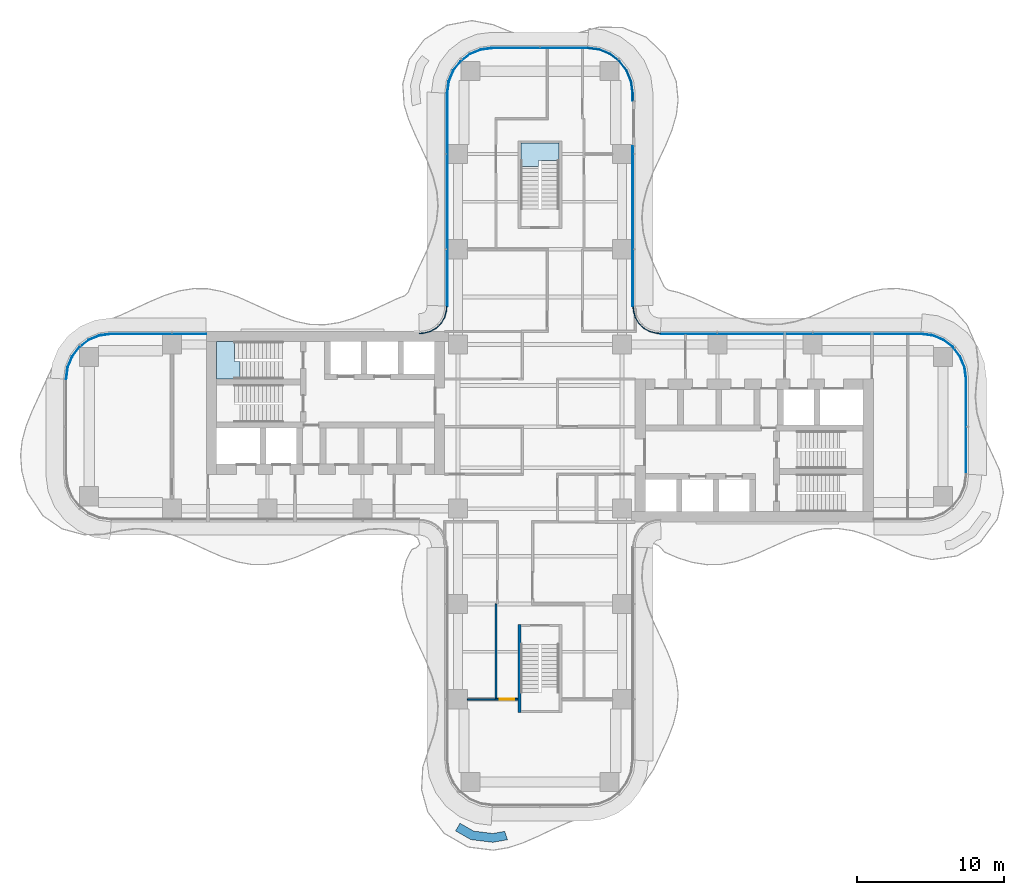
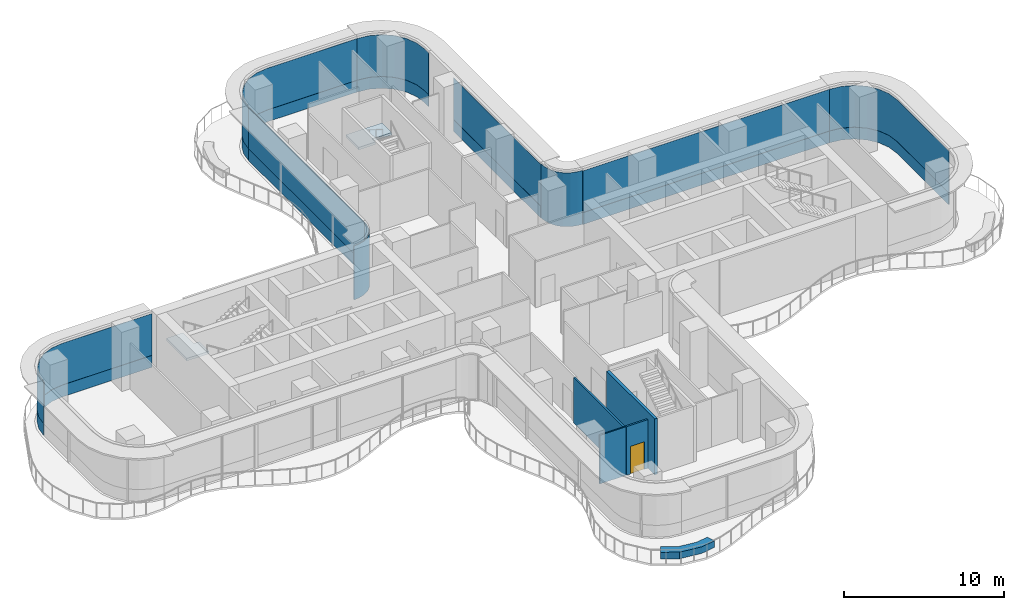
# One storey, part 14 of 20: 16 plates, 5 walls, 2 slabs, 1 door, 1 opening, 11 elements without a shape of their own.
"""IFC4 building model written with IfcOpenShell, lengths in metres."""

from ifc_helpers import new_model, si_unit, direction, frame, frame_2d, origin, place, context, subcontext, project, spatial, polyline, rectangle, outline, extrude, source, transform, mapped, material, layer, layer_set, type_object, element, fill, aggregate, save


model = new_model("IFC4")

# Units and contexts
model_context = context("Model", 3, precision=1e-05, world=origin(), true_north=direction((0.0, 1.0)))
body_context = subcontext(model_context, "Body", "Model", "MODEL_VIEW")
ifc_project = project(units=[si_unit("LENGTHUNIT", "METRE"), si_unit("AREAUNIT", "SQUARE_METRE"), si_unit("VOLUMEUNIT", "CUBIC_METRE"), si_unit("PLANEANGLEUNIT", "RADIAN"), si_unit("MASSUNIT", "GRAM", prefix="KILO")], contexts=[model_context])

# Site, building, storey
site_placement = place(None, origin())
site = spatial("IfcSite", under=ifc_project, at=site_placement, CompositionType="ELEMENT")
building_placement = place(site_placement, origin())
building = spatial("IfcBuilding", under=site, at=building_placement, Name="Trellis Farm Tower", CompositionType="ELEMENT")
storey_placement = place(building_placement, frame((0.0, 0.0, 129.0)))
storey = spatial("IfcBuildingStorey", under=building, at=storey_placement, Name="L27", CompositionType="ELEMENT", Elevation=129.0)

# Stair, slab
ifc_material_1 = material(Name="Concrete C50/60", Category="concrete")
stair_type = type_object("IfcStairType", Name="CORE EXIT STAIR 26 RISERS 173 MM", PredefinedType="HALF_TURN_STAIR", material=ifc_material_1)
placement_1 = place(storey_placement, origin())
stair_1 = element("IfcStair", 1, at=placement_1, inside=storey, type_object=stair_type, Name="Exit stair N", PredefinedType="HALF_TURN_STAIR")
ifc_layer_1 = layer(ifc_material_1, 0.18994140625)
ifc_layer_set_1 = layer_set([ifc_layer_1], Name="CORE STAIR LANDING 190 CONCRETE C50/60")
slab_type = type_object("IfcSlabType", Name="CORE STAIR LANDING 190 CONCRETE C50/60", PredefinedType="LANDING", material=ifc_layer_set_1)
shared_shape_1 = source(origin(), body_context, "Body", "SweptSolid", [
    extrude(outline(polyline([(-0.10009765625, 17.753173828125), (-1.300048828125, 17.753173828125), (-1.300048828125, 18.14990234375), (-1.300048828125, 19.35009765625), (1.300048828125, 19.35009765625), (1.300048828125, 18.14990234375), (1.300048828125, 18.139892578125), (0.10009765625, 18.139892578125), (0.10009765625, 18.14990234375), (-0.10009765625, 18.14990234375), (-0.10009765625, 17.753173828125)])), origin(), (0.0, 0.0, 1.0), 0.18994140625),
])
placement_2 = place(storey_placement, frame((0.0, 0.0, 2.06005859375)))
slab_1 = element("IfcSlab", 2, at=placement_2, type_object=slab_type, Name="STN landing 1", PredefinedType="LANDING", context=body_context, shape_type="MappedRepresentation", body=[
    mapped(shared_shape_1, transform((0.0, 0.0, 0.0))),
])
aggregate(stair_1, [slab_1])

stair_2 = element("IfcStair", 3, at=placement_1, inside=storey, type_object=stair_type, Name="Exit stair W1", PredefinedType="HALF_TURN_STAIR")
shared_shape_2 = source(origin(), body_context, "Body", "SweptSolid", [
    extrude(outline(polyline([(-20.453125, 4.449951171875), (-20.453125, 3.25), (-20.85009765625, 3.25), (-22.050048828125, 3.25), (-22.050048828125, 5.800048828125), (-20.85009765625, 5.800048828125), (-20.840087890625, 5.800048828125), (-20.840087890625, 4.60009765625), (-20.85009765625, 4.60009765625), (-20.85009765625, 4.449951171875), (-20.453125, 4.449951171875)])), origin(), (0.0, 0.0, 1.0), 0.18994140625),
])
slab_2 = element("IfcSlab", 4, at=placement_2, type_object=slab_type, Name="STW1 landing 1", PredefinedType="LANDING", context=body_context, shape_type="MappedRepresentation", body=[
    mapped(shared_shape_2, transform((0.0, 0.0, 0.0))),
])
aggregate(stair_2, [slab_2])

# Curtain wall, plate
ifc_material_2 = material(Name="Aluminium and glass curtain wall", Category="aluminium")
ifc_layer_2 = layer(ifc_material_2, 0.166015625)
ifc_layer_set_2 = layer_set([ifc_layer_2], Name="WINTER GARDEN CURTAIN WALL CW3")
curtain_wall_type_1 = type_object("IfcCurtainWallType", Name="WINTER GARDEN CURTAIN WALL CW3", PredefinedType="NOTDEFINED", material=ifc_layer_set_2)
curtain_wall_1 = element("IfcCurtainWall", 5, at=placement_1, inside=storey, type_object=curtain_wall_type_1, Name="CW3 003", PredefinedType="NOTDEFINED")
ifc_material_3 = material(Name="Clear insulated glass", Category="glass")
ifc_layer_3 = layer(ifc_material_3, 0.0458984375)
ifc_layer_set_3 = layer_set([ifc_layer_3], Name="CW3 GLASS PANEL 46")
plate_type_1 = type_object("IfcPlateType", Name="CW3 GLASS PANEL 46", PredefinedType="CURTAIN_PANEL", material=ifc_layer_set_3)
shared_shape_3 = source(origin(), body_context, "Body", "SweptSolid", [
    extrude(outline(polyline([(8.2275390625, 6.3798828125), (8.0078125, 6.394287109375), (7.89208984375, 6.40966796875), (7.462158203125, 6.52490234375), (7.070556640625, 6.7509765625), (6.7509765625, 7.070556640625), (6.52490234375, 7.462158203125), (6.40966796875, 7.89208984375), (6.394287109375, 8.0078125), (6.3798828125, 8.2275390625), (6.333984375, 8.22607421875), (6.3486328125, 8.003173828125), (6.364501953125, 7.883056640625), (6.48193359375, 7.4443359375), (6.714111328125, 7.04248046875), (7.04248046875, 6.714111328125), (7.4443359375, 6.48193359375), (7.883056640625, 6.364501953125), (8.003173828125, 6.3486328125), (8.22607421875, 6.333984375), (8.2275390625, 6.3798828125)])), origin(), (0.0, 0.0, 1.0), 4.10009765625),
])
plate_1 = element("IfcPlate", 6, at=placement_1, type_object=plate_type_1, Name="PL3 003", PredefinedType="CURTAIN_PANEL", context=body_context, shape_type="MappedRepresentation", body=[
    mapped(shared_shape_3, transform((0.0, 0.0, 0.0))),
])
aggregate(curtain_wall_1, [plate_1])

curtain_wall_2 = element("IfcCurtainWall", 7, at=placement_1, inside=storey, type_object=curtain_wall_type_1, Name="CW3 004", PredefinedType="NOTDEFINED")
shared_shape_4 = source(origin(), body_context, "Body", "SweptSolid", [
    extrude(outline(polyline([(-6.3798828125, 8.2275390625), (-6.394287109375, 8.0078125), (-6.40966796875, 7.89208984375), (-6.52490234375, 7.462158203125), (-6.7509765625, 7.070556640625), (-7.070556640625, 6.7509765625), (-7.462158203125, 6.52490234375), (-7.89208984375, 6.40966796875), (-8.0078125, 6.394287109375), (-8.2275390625, 6.3798828125), (-8.22607421875, 6.333984375), (-8.003173828125, 6.3486328125), (-7.883056640625, 6.364501953125), (-7.4443359375, 6.48193359375), (-7.04248046875, 6.714111328125), (-6.714111328125, 7.04248046875), (-6.48193359375, 7.4443359375), (-6.364501953125, 7.883056640625), (-6.3486328125, 8.003173828125), (-6.333984375, 8.22607421875), (-6.3798828125, 8.2275390625)])), origin(), (0.0, 0.0, 1.0), 4.10009765625),
])
plate_2 = element("IfcPlate", 8, at=placement_1, type_object=plate_type_1, Name="PL3 004", PredefinedType="CURTAIN_PANEL", context=body_context, shape_type="MappedRepresentation", body=[
    mapped(shared_shape_4, transform((0.0, 0.0, 0.0))),
])
aggregate(curtain_wall_2, [plate_2])

# Curtain wall, plates
ifc_layer_4 = layer(ifc_material_2, 0.18994140625)
ifc_layer_set_4 = layer_set([ifc_layer_4], Name="RIBBON CURTAIN WALL CW1")
curtain_wall_type_2 = type_object("IfcCurtainWallType", Name="RIBBON CURTAIN WALL CW1", PredefinedType="NOTDEFINED", material=ifc_layer_set_4)
curtain_wall_3 = element("IfcCurtainWall", 9, at=placement_1, inside=storey, type_object=curtain_wall_type_2, Name="CW1 012", PredefinedType="NOTDEFINED")
ifc_layer_5 = layer(ifc_material_3, 0.0400390625)
ifc_layer_set_5 = layer_set([ifc_layer_5], Name="CW1 GLASS PANEL 40")
plate_type_2 = type_object("IfcPlateType", Name="CW1 GLASS PANEL 40", PredefinedType="CURTAIN_PANEL", material=ifc_layer_set_5)
shared_shape_5 = source(origin(), body_context, "Body", "SweptSolid", [
    extrude(outline(polyline([(-22.780029296875, 6.35009765625), (-29.240234375, 6.35009765625), (-30.052001953125, 6.2431640625), (-30.79931640625, 5.93359375), (-31.441162109375, 5.441162109375), (-31.93359375, 4.79931640625), (-32.2431640625, 4.052001953125), (-32.35009765625, 3.240234375), (-32.31005859375, 3.237548828125), (-32.2041015625, 4.04150390625), (-31.898681640625, 4.779296875), (-31.41259765625, 5.41259765625), (-30.779296875, 5.898681640625), (-30.04150390625, 6.2041015625), (-29.237548828125, 6.31005859375), (-22.780029296875, 6.31005859375), (-22.780029296875, 6.35009765625)])), origin(), (0.0, 0.0, 1.0), 3.170166015625),
])
placement_3 = place(storey_placement, frame((0.0, 0.0, 0.89990234375)))
plate_3 = element("IfcPlate", 10, at=placement_3, type_object=plate_type_2, Name="PL1 012", PredefinedType="CURTAIN_PANEL", context=body_context, shape_type="MappedRepresentation", body=[
    mapped(shared_shape_5, transform((0.0, 0.0, 0.0))),
])
ifc_material_4 = material(Name="Sandstone faced insulated panel", Category="masonry")
ifc_layer_6 = layer(ifc_material_4, 0.050048828125)
ifc_layer_set_6 = layer_set([ifc_layer_6], Name="CW1 STONE SPANDREL PANEL 50")
plate_type_3 = type_object("IfcPlateType", Name="CW1 STONE SPANDREL PANEL 50", PredefinedType="CURTAIN_PANEL", material=ifc_layer_set_6)
shared_shape_6 = source(origin(), body_context, "Body", "SweptSolid", [
    extrude(outline(polyline([(-22.780029296875, 6.35009765625), (-29.240234375, 6.35009765625), (-30.052001953125, 6.2431640625), (-30.79931640625, 5.93359375), (-31.441162109375, 5.441162109375), (-31.93359375, 4.79931640625), (-32.2431640625, 4.052001953125), (-32.35009765625, 3.240234375), (-32.300048828125, 3.23681640625), (-32.1943359375, 4.0390625), (-31.889892578125, 4.774169921875), (-31.405517578125, 5.405517578125), (-30.774169921875, 5.889892578125), (-30.0390625, 6.1943359375), (-29.23681640625, 6.300048828125), (-22.780029296875, 6.300048828125), (-22.780029296875, 6.35009765625)])), origin(), (0.0, 0.0, 1.0), 0.89990234375),
])
plate_4 = element("IfcPlate", 11, at=placement_1, type_object=plate_type_3, Name="PS1 012", PredefinedType="CURTAIN_PANEL", context=body_context, shape_type="MappedRepresentation", body=[
    mapped(shared_shape_6, transform((0.0, 0.0, 0.0))),
])
aggregate(curtain_wall_3, [plate_3, plate_4])

curtain_wall_4 = element("IfcCurtainWall", 12, at=placement_1, inside=storey, type_object=curtain_wall_type_2, Name="CW1 011", PredefinedType="NOTDEFINED")
shared_shape_7 = source(origin(), body_context, "Body", "SweptSolid", [
    extrude(outline(polyline([(-6.35009765625, 22.740234375), (-6.35009765625, 8.2265625), (-6.31005859375, 8.22509765625), (-6.31005859375, 22.737548828125), (-6.35009765625, 22.740234375)])), origin(), (0.0, 0.0, 1.0), 3.170166015625),
])
plate_5 = element("IfcPlate", 13, at=placement_3, type_object=plate_type_2, Name="PL1 011", PredefinedType="CURTAIN_PANEL", context=body_context, shape_type="MappedRepresentation", body=[
    mapped(shared_shape_7, transform((0.0, 0.0, 0.0))),
])
shared_shape_8 = source(origin(), body_context, "Body", "SweptSolid", [
    extrude(outline(polyline([(-6.35009765625, 22.740234375), (-6.35009765625, 8.2265625), (-6.300048828125, 8.224853515625), (-6.300048828125, 22.73681640625), (-6.35009765625, 22.740234375)])), origin(), (0.0, 0.0, 1.0), 0.89990234375),
])
plate_6 = element("IfcPlate", 14, at=placement_1, type_object=plate_type_3, Name="PS1 011", PredefinedType="CURTAIN_PANEL", context=body_context, shape_type="MappedRepresentation", body=[
    mapped(shared_shape_8, transform((0.0, 0.0, 0.0))),
])
aggregate(curtain_wall_4, [plate_5, plate_6])

curtain_wall_5 = element("IfcCurtainWall", 15, at=placement_1, inside=storey, type_object=curtain_wall_type_2, Name="CW1 010", PredefinedType="NOTDEFINED")
shared_shape_9 = source(origin(), body_context, "Body", "SweptSolid", [
    extrude(outline(polyline([(3.240234375, 25.85009765625), (-3.240234375, 25.85009765625), (-4.052001953125, 25.7431640625), (-4.79931640625, 25.43359375), (-5.441162109375, 24.941162109375), (-5.93359375, 24.29931640625), (-6.2431640625, 23.552001953125), (-6.35009765625, 22.740234375), (-6.31005859375, 22.737548828125), (-6.2041015625, 23.54150390625), (-5.898681640625, 24.279296875), (-5.41259765625, 24.91259765625), (-4.779296875, 25.398681640625), (-4.04150390625, 25.7041015625), (-3.237548828125, 25.81005859375), (3.237548828125, 25.81005859375), (3.240234375, 25.85009765625)])), origin(), (0.0, 0.0, 1.0), 3.170166015625),
])
plate_7 = element("IfcPlate", 16, at=placement_3, type_object=plate_type_2, Name="PL1 010", PredefinedType="CURTAIN_PANEL", context=body_context, shape_type="MappedRepresentation", body=[
    mapped(shared_shape_9, transform((0.0, 0.0, 0.0))),
])
shared_shape_10 = source(origin(), body_context, "Body", "SweptSolid", [
    extrude(outline(polyline([(3.240234375, 25.85009765625), (-3.240234375, 25.85009765625), (-4.052001953125, 25.7431640625), (-4.79931640625, 25.43359375), (-5.441162109375, 24.941162109375), (-5.93359375, 24.29931640625), (-6.2431640625, 23.552001953125), (-6.35009765625, 22.740234375), (-6.300048828125, 22.73681640625), (-6.1943359375, 23.5390625), (-5.889892578125, 24.274169921875), (-5.405517578125, 24.905517578125), (-4.774169921875, 25.389892578125), (-4.0390625, 25.6943359375), (-3.23681640625, 25.800048828125), (3.23681640625, 25.800048828125), (3.240234375, 25.85009765625)])), origin(), (0.0, 0.0, 1.0), 0.89990234375),
])
plate_8 = element("IfcPlate", 17, at=placement_1, type_object=plate_type_3, Name="PS1 010", PredefinedType="CURTAIN_PANEL", context=body_context, shape_type="MappedRepresentation", body=[
    mapped(shared_shape_10, transform((0.0, 0.0, 0.0))),
])
aggregate(curtain_wall_5, [plate_7, plate_8])

curtain_wall_6 = element("IfcCurtainWall", 18, at=placement_1, inside=storey, type_object=curtain_wall_type_2, Name="CW1 007", PredefinedType="NOTDEFINED")
shared_shape_11 = source(origin(), body_context, "Body", "SweptSolid", [
    extrude(outline(polyline([(25.990234375, 6.35009765625), (8.2265625, 6.35009765625), (8.22509765625, 6.31005859375), (25.987548828125, 6.31005859375), (25.990234375, 6.35009765625)])), origin(), (0.0, 0.0, 1.0), 3.170166015625),
])
plate_9 = element("IfcPlate", 19, at=placement_3, type_object=plate_type_2, Name="PL1 007", PredefinedType="CURTAIN_PANEL", context=body_context, shape_type="MappedRepresentation", body=[
    mapped(shared_shape_11, transform((0.0, 0.0, 0.0))),
])
shared_shape_12 = source(origin(), body_context, "Body", "SweptSolid", [
    extrude(outline(polyline([(25.990234375, 6.35009765625), (8.2265625, 6.35009765625), (8.224853515625, 6.300048828125), (25.98681640625, 6.300048828125), (25.990234375, 6.35009765625)])), origin(), (0.0, 0.0, 1.0), 0.89990234375),
])
plate_10 = element("IfcPlate", 20, at=placement_1, type_object=plate_type_3, Name="PS1 007", PredefinedType="CURTAIN_PANEL", context=body_context, shape_type="MappedRepresentation", body=[
    mapped(shared_shape_12, transform((0.0, 0.0, 0.0))),
])
aggregate(curtain_wall_6, [plate_9, plate_10])

curtain_wall_7 = element("IfcCurtainWall", 21, at=placement_1, inside=storey, type_object=curtain_wall_type_2, Name="CW1 006", PredefinedType="NOTDEFINED")
shared_shape_13 = source(origin(), body_context, "Body", "SweptSolid", [
    extrude(outline(polyline([(29.10009765625, -3.240234375), (29.10009765625, 3.240234375), (28.9931640625, 4.052001953125), (28.68359375, 4.79931640625), (28.191162109375, 5.441162109375), (27.54931640625, 5.93359375), (26.802001953125, 6.2431640625), (25.990234375, 6.35009765625), (25.987548828125, 6.31005859375), (26.79150390625, 6.2041015625), (27.529296875, 5.898681640625), (28.16259765625, 5.41259765625), (28.648681640625, 4.779296875), (28.9541015625, 4.04150390625), (29.06005859375, 3.237548828125), (29.06005859375, -3.237548828125), (29.10009765625, -3.240234375)])), origin(), (0.0, 0.0, 1.0), 3.170166015625),
])
plate_11 = element("IfcPlate", 22, at=placement_3, type_object=plate_type_2, Name="PL1 006", PredefinedType="CURTAIN_PANEL", context=body_context, shape_type="MappedRepresentation", body=[
    mapped(shared_shape_13, transform((0.0, 0.0, 0.0))),
])
shared_shape_14 = source(origin(), body_context, "Body", "SweptSolid", [
    extrude(outline(polyline([(29.10009765625, -3.240234375), (29.10009765625, 3.240234375), (28.9931640625, 4.052001953125), (28.68359375, 4.79931640625), (28.191162109375, 5.441162109375), (27.54931640625, 5.93359375), (26.802001953125, 6.2431640625), (25.990234375, 6.35009765625), (25.98681640625, 6.300048828125), (26.7890625, 6.1943359375), (27.524169921875, 5.889892578125), (28.155517578125, 5.405517578125), (28.639892578125, 4.774169921875), (28.9443359375, 4.0390625), (29.050048828125, 3.23681640625), (29.050048828125, -3.23681640625), (29.10009765625, -3.240234375)])), origin(), (0.0, 0.0, 1.0), 0.89990234375),
])
plate_12 = element("IfcPlate", 23, at=placement_1, type_object=plate_type_3, Name="PS1 006", PredefinedType="CURTAIN_PANEL", context=body_context, shape_type="MappedRepresentation", body=[
    mapped(shared_shape_14, transform((0.0, 0.0, 0.0))),
])
aggregate(curtain_wall_7, [plate_11, plate_12])

curtain_wall_8 = element("IfcCurtainWall", 24, at=placement_1, inside=storey, type_object=curtain_wall_type_2, Name="CW1 008", PredefinedType="NOTDEFINED")
shared_shape_15 = source(origin(), body_context, "Body", "SweptSolid", [
    extrude(outline(polyline([(6.35009765625, 8.2265625), (6.35009765625, 19.114990234375), (6.31005859375, 19.114990234375), (6.31005859375, 8.22509765625), (6.35009765625, 8.2265625)])), origin(), (0.0, 0.0, 1.0), 3.170166015625),
])
plate_13 = element("IfcPlate", 25, at=placement_3, type_object=plate_type_2, Name="PL1 008", PredefinedType="CURTAIN_PANEL", context=body_context, shape_type="MappedRepresentation", body=[
    mapped(shared_shape_15, transform((0.0, 0.0, 0.0))),
])
shared_shape_16 = source(origin(), body_context, "Body", "SweptSolid", [
    extrude(outline(polyline([(6.35009765625, 8.2265625), (6.35009765625, 19.114990234375), (6.300048828125, 19.114990234375), (6.300048828125, 8.224853515625), (6.35009765625, 8.2265625)])), origin(), (0.0, 0.0, 1.0), 0.89990234375),
])
plate_14 = element("IfcPlate", 26, at=placement_1, type_object=plate_type_3, Name="PS1 008", PredefinedType="CURTAIN_PANEL", context=body_context, shape_type="MappedRepresentation", body=[
    mapped(shared_shape_16, transform((0.0, 0.0, 0.0))),
])
aggregate(curtain_wall_8, [plate_13, plate_14])

curtain_wall_9 = element("IfcCurtainWall", 27, at=placement_1, inside=storey, type_object=curtain_wall_type_2, Name="CW1 009", PredefinedType="NOTDEFINED")
shared_shape_17 = source(origin(), body_context, "Body", "SweptSolid", [
    extrude(outline(polyline([(6.35009765625, 22.235107421875), (6.35009765625, 22.740234375), (6.2431640625, 23.552001953125), (5.93359375, 24.29931640625), (5.441162109375, 24.941162109375), (4.79931640625, 25.43359375), (4.052001953125, 25.7431640625), (3.240234375, 25.85009765625), (3.237548828125, 25.81005859375), (4.04150390625, 25.7041015625), (4.779296875, 25.398681640625), (5.41259765625, 24.91259765625), (5.898681640625, 24.279296875), (6.2041015625, 23.54150390625), (6.31005859375, 22.737548828125), (6.31005859375, 22.235107421875), (6.35009765625, 22.235107421875)])), origin(), (0.0, 0.0, 1.0), 3.170166015625),
])
plate_15 = element("IfcPlate", 28, at=placement_3, type_object=plate_type_2, Name="PL1 009", PredefinedType="CURTAIN_PANEL", context=body_context, shape_type="MappedRepresentation", body=[
    mapped(shared_shape_17, transform((0.0, 0.0, 0.0))),
])
shared_shape_18 = source(origin(), body_context, "Body", "SweptSolid", [
    extrude(outline(polyline([(6.35009765625, 22.235107421875), (6.35009765625, 22.740234375), (6.2431640625, 23.552001953125), (5.93359375, 24.29931640625), (5.441162109375, 24.941162109375), (4.79931640625, 25.43359375), (4.052001953125, 25.7431640625), (3.240234375, 25.85009765625), (3.23681640625, 25.800048828125), (4.0390625, 25.6943359375), (4.774169921875, 25.389892578125), (5.405517578125, 24.905517578125), (5.889892578125, 24.274169921875), (6.1943359375, 23.5390625), (6.300048828125, 22.73681640625), (6.300048828125, 22.235107421875), (6.35009765625, 22.235107421875)])), origin(), (0.0, 0.0, 1.0), 0.89990234375),
])
plate_16 = element("IfcPlate", 29, at=placement_1, type_object=plate_type_3, Name="PS1 009", PredefinedType="CURTAIN_PANEL", context=body_context, shape_type="MappedRepresentation", body=[
    mapped(shared_shape_18, transform((0.0, 0.0, 0.0))),
])
aggregate(curtain_wall_9, [plate_15, plate_16])

# Walls
ifc_material_5 = material(Name="Sandstone faced masonry planter", Category="masonry")
ifc_layer_7 = layer(ifc_material_5, 0.60009765625)
ifc_layer_set_7 = layer_set([ifc_layer_7], Name="PLANTER BED 600")
wall_type_1 = type_object("IfcWallType", Name="PLANTER BED 600", PredefinedType="USERDEFINED", material=ifc_layer_set_7)
element("IfcWall", 30, at=placement_1, inside=storey, type_object=wall_type_1, Name="PLANTER bed", ObjectType="PLANTER", PredefinedType="USERDEFINED", context=body_context, shape_type="SweptSolid", body=[
    extrude(outline(polyline([(-3.21533203125, -28.360107421875), (-4.713134765625, -28.17578125), (-5.75439453125, -27.578857421875), (-5.4560546875, -27.058349609375), (-4.519775390625, -27.59521484375), (-3.228515625, -27.75390625), (-2.406982421875, -27.615478515625), (-2.216796875, -28.1845703125), (-3.21533203125, -28.360107421875)])), origin(), (0.0, 0.0, 1.0), 0.5),
])
ifc_material_6 = material(Name="Concrete C70/85", Category="concrete")
ifc_layer_8 = layer(ifc_material_6, 0.199951171875)
ifc_layer_set_8 = layer_set([ifc_layer_8], Name="CORE STAIR ENCLOSURE WALL 200 CONCRETE C70/85")
wall_type_2 = type_object("IfcWallType", Name="CORE STAIR ENCLOSURE WALL 200 CONCRETE C70/85", PredefinedType="SHEAR", material=ifc_layer_set_8)
shared_shape_19 = source(origin(), body_context, "Body", "SweptSolid", [
    extrude(rectangle(XDim=6.0, YDim=0.199951171875, at=frame_2d((3.0, 0.0))), origin(), (0.0, 0.0, 1.0), 4.25),
])
wall_2_placement = place(storey_placement, frame((-1.39990234375, -13.5, 0.0), z_axis=(0.0, 0.0, 1.0), x_axis=(0.0, -1.0, 0.0)))
element("IfcWall", 31, at=wall_2_placement, inside=storey, type_object=wall_type_2, Name="Stair enclosure wall", PredefinedType="SHEAR", context=body_context, shape_type="MappedRepresentation", body=[
    mapped(shared_shape_19, transform((0.0, 0.0, 0.0))),
])

# Wall, opening, door
ifc_material_7 = material(Name="Plasterboard on steel studs, mineral wool", Category="steel")
ifc_layer_9 = layer(ifc_material_7, 0.125)
ifc_layer_set_9 = layer_set([ifc_layer_9], Name="PARTITION 125 STUD EI 60")
wall_type_3 = type_object("IfcWallType", Name="PARTITION 125 STUD EI 60", PredefinedType="PARTITIONING", material=ifc_layer_set_9)
shared_shape_20 = source(origin(), body_context, "Body", "SweptSolid", [
    extrude(rectangle(XDim=1.5625, YDim=0.125, at=frame_2d((0.78125, 0.0))), origin(), (0.0, 0.0, 1.0), 3.697021484375),
])
wall_3_placement = place(storey_placement, frame((-1.5, -18.60009765625, 0.0), z_axis=(0.0, 0.0, 1.0), x_axis=(-1.0, 0.0, 0.0)))
wall_3 = element("IfcWall", 32, at=wall_3_placement, inside=storey, type_object=wall_type_3, Name="Partition PW1", PredefinedType="PARTITIONING", context=body_context, shape_type="MappedRepresentation", body=[
    mapped(shared_shape_20, transform((0.0, 0.0, 0.0))),
])
shared_shape_21 = source(origin(), body_context, "Body", "SweptSolid", [
    extrude(rectangle(XDim=1.0, YDim=2.10009765625, at=frame_2d((0.5, 1.050048828125))), frame((0.0, 0.072509765625, 0.0), z_axis=(0.0, -1.0, 0.0), x_axis=(1.0, 0.0, 0.0)), (0.0, 0.0, 1.0), 0.14501953125),
])
opening_placement = place(wall_3_placement, frame((0.25, 0.0, 0.0)))
opening = element("IfcOpeningElement", 33, at=opening_placement, cuts=wall_3, Name="Opening D101", PredefinedType="OPENING", context=body_context, shape_type="MappedRepresentation", body=[
    mapped(shared_shape_21, transform((0.0, 0.0, 0.0))),
])
ifc_material_8 = material(Name="Fire-rated timber door leaf in a hollow metal frame", Category="wood")
door_type = type_object("IfcDoorType", Name="DOOR 1000x2100 FD30S", OperationType="NOTDEFINED", PredefinedType="DOOR", material=ifc_material_8)
shared_shape_22 = source(origin(), body_context, "Body", "SweptSolid", [
    extrude(rectangle(XDim=1.0, YDim=2.10009765625, at=frame_2d((0.5, 1.050048828125))), frame((0.0, 0.02490234375, 0.0), z_axis=(0.0, -1.0, 0.0), x_axis=(1.0, 0.0, 0.0)), (0.0, 0.0, 1.0), 0.050048828125),
])
door_placement = place(opening_placement, origin())
door = element("IfcDoor", 34, at=door_placement, inside=storey, type_object=door_type, Name="Door D101", OperationType="SINGLE_SWING_LEFT", OverallHeight=2.10009765625, OverallWidth=1.0, PredefinedType="DOOR", context=body_context, shape_type="MappedRepresentation", body=[
    mapped(shared_shape_22, transform((0.0, 0.0, 0.0))),
])
fill(opening, door)

# Walls
ifc_material_9 = material(Name="Plasterboard on steel studs", Category="steel")
ifc_layer_10 = layer(ifc_material_9, 0.10009765625)
ifc_layer_set_10 = layer_set([ifc_layer_10], Name="PARTITION 100 STUD EI 30")
wall_type_4 = type_object("IfcWallType", Name="PARTITION 100 STUD EI 30", PredefinedType="PARTITIONING", material=ifc_layer_set_10)
shared_shape_23 = source(origin(), body_context, "Body", "SweptSolid", [
    extrude(rectangle(XDim=2.012451171875, YDim=0.10009765625, at=frame_2d((1.00634765625, 0.0))), origin(), (0.0, 0.0, 1.0), 3.697021484375),
])
wall_4_placement = place(storey_placement, frame((-4.949951171875, -18.60009765625, 0.0), z_axis=(0.0, 0.0, 1.0), x_axis=(1.0, 0.0, 0.0)))
element("IfcWall", 35, at=wall_4_placement, inside=storey, type_object=wall_type_4, Name="Partition PW2", PredefinedType="PARTITIONING", context=body_context, shape_type="MappedRepresentation", body=[
    mapped(shared_shape_23, transform((0.0, 0.0, 0.0))),
])
shared_shape_24 = source(origin(), body_context, "Body", "SweptSolid", [
    extrude(rectangle(XDim=6.449951171875, YDim=0.125, at=frame_2d((3.22509765625, 0.0))), origin(), (0.0, 0.0, 1.0), 3.4677734375),
])
wall_5_placement = place(storey_placement, frame((-3.0, -18.550048828125, 0.0), z_axis=(0.0, 0.0, 1.0), x_axis=(0.0, 1.0, 0.0)))
element("IfcWall", 36, at=wall_5_placement, inside=storey, type_object=wall_type_3, Name="Partition PW1", PredefinedType="PARTITIONING", context=body_context, shape_type="MappedRepresentation", body=[
    mapped(shared_shape_24, transform((0.0, 0.0, 0.0))),
])

save(model, "model.ifc")
